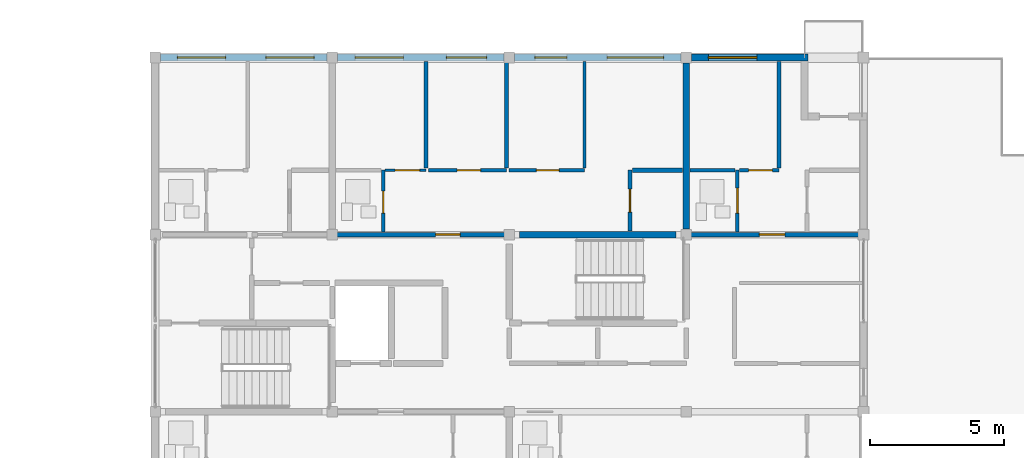
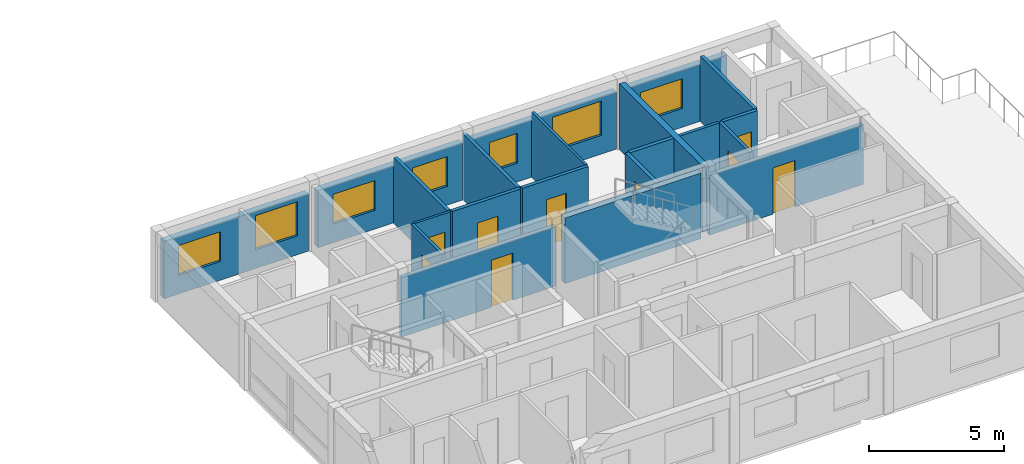
# One storey, part 14 of 22: 21 walls, 9 doors, 7 windows, 16 openings.
"""IFC4 building model written with IfcOpenShell, lengths in metres."""

from ifc_helpers import new_model, si_unit, direction, frame, frame_2d, origin, place, context, subcontext, project, spatial, rectangle, extrude, material, layer, layer_set, type_object, element, fill, save


model = new_model("IFC4")

# Units and contexts
model_context = context("Model", 3, precision=1e-05, world=origin(), true_north=direction((0.0, 1.0)))
body_context = subcontext(model_context, "Body", "Model", "MODEL_VIEW")
ifc_project = project(units=[si_unit("LENGTHUNIT", "METRE"), si_unit("AREAUNIT", "SQUARE_METRE"), si_unit("VOLUMEUNIT", "CUBIC_METRE"), si_unit("PLANEANGLEUNIT", "RADIAN"), si_unit("MASSUNIT", "GRAM", prefix="KILO")], contexts=[model_context])

# Site, building, storey
site_placement = place(None, origin())
site = spatial("IfcSite", under=ifc_project, at=site_placement, CompositionType="ELEMENT")
building_placement = place(site_placement, origin())
building = spatial("IfcBuilding", under=site, at=building_placement, Name="Kernevlak Ridge Housing Community", CompositionType="ELEMENT")
storey_placement = place(building_placement, frame((0.0, 0.0, 43.60009765625)))
storey = spatial("IfcBuildingStorey", under=building, at=storey_placement, Name="L13", CompositionType="ELEMENT", Elevation=43.60009765625)

# Wall, openings, windows
ifc_material_1 = material(Name="Concrete block masonry M10", Category="masonry")
ifc_layer_1 = layer(ifc_material_1, 0.260009765625, Name="Concrete block masonry M10")
ifc_layer_set_1 = layer_set([ifc_layer_1], Name="Concrete block masonry M10")
wall_type_1 = type_object("IfcWallType", Name="EW-05", PredefinedType="STANDARD", material=ifc_layer_set_1)
wall_1_placement = place(storey_placement, frame((119.60009765625, 102.39990234375, 0.0), z_axis=(0.0, 0.0, 1.0), x_axis=(1.0, 0.0, 0.0)))
wall_1 = element("IfcWall", 1, at=wall_1_placement, inside=storey, type_object=wall_type_1, Name="Exterior wall EW-05 L13 503", PredefinedType="STANDARD", context=body_context, shape_type="SweptSolid", body=[
    extrude(rectangle(XDim=6.199951171875, YDim=0.260009765625, at=frame_2d((3.10009765625, 0.0))), origin(), (0.0, 0.0, 1.0), 2.599853515625),
])
opening_1_placement = place(wall_1_placement, frame((0.625, 0.0, 0.85009765625)))
opening_1 = element("IfcOpeningElement", 2, at=opening_1_placement, cuts=wall_1, Name="Opening WT-03", PredefinedType="OPENING", context=body_context, shape_type="SweptSolid", body=[
    extrude(rectangle(XDim=1.800048828125, YDim=1.35009765625, at=frame_2d((0.89990234375, 0.675048828125))), frame((0.0, 0.139892578125, 0.0), z_axis=(0.0, -1.0, 0.0), x_axis=(1.0, 0.0, 0.0)), (0.0, 0.0, 1.0), 0.280029296875),
])
opening_2_placement = place(wall_1_placement, frame((3.925048828125, 0.0, 0.85009765625)))
opening_2 = element("IfcOpeningElement", 3, at=opening_2_placement, cuts=wall_1, Name="Opening WT-04", PredefinedType="OPENING", context=body_context, shape_type="SweptSolid", body=[
    extrude(rectangle(XDim=1.800048828125, YDim=1.550048828125, at=frame_2d((0.89990234375, 0.77490234375))), frame((0.0, 0.139892578125, 0.0), z_axis=(0.0, -1.0, 0.0), x_axis=(1.0, 0.0, 0.0)), (0.0, 0.0, 1.0), 0.280029296875),
])
ifc_material_2 = material(Name="Aluminium EN AW-6060 anodised and laminated glass", Category="aluminium")
window_type_1 = type_object("IfcWindowType", Name="WT-03", PartitioningType="SINGLE_PANEL", PredefinedType="WINDOW", material=ifc_material_2)
window_1_placement = place(opening_1_placement, origin())
window_1 = element("IfcWindow", 4, at=window_1_placement, inside=storey, type_object=window_type_1, Name="Window WT-03 L13 394", OverallHeight=1.35009765625, OverallWidth=1.800048828125, PartitioningType="SINGLE_PANEL", PredefinedType="WINDOW", context=body_context, shape_type="SweptSolid", body=[
    extrude(rectangle(XDim=1.800048828125, YDim=1.35009765625, at=frame_2d((0.89990234375, 0.675048828125))), frame((0.0, 0.030029296875, 0.0), z_axis=(0.0, -1.0, 0.0), x_axis=(1.0, 0.0, 0.0)), (0.0, 0.0, 1.0), 0.06005859375),
])
fill(opening_1, window_1)
window_type_2 = type_object("IfcWindowType", Name="WT-04", PartitioningType="SINGLE_PANEL", PredefinedType="WINDOW", material=ifc_material_2)
window_2_placement = place(opening_2_placement, origin())
window_2 = element("IfcWindow", 5, at=window_2_placement, inside=storey, type_object=window_type_2, Name="Window WT-04 L13 395", OverallHeight=1.550048828125, OverallWidth=1.800048828125, PartitioningType="SINGLE_PANEL", PredefinedType="WINDOW", context=body_context, shape_type="SweptSolid", body=[
    extrude(rectangle(XDim=1.800048828125, YDim=1.550048828125, at=frame_2d((0.89990234375, 0.77490234375))), frame((0.0, 0.030029296875, 0.0), z_axis=(0.0, -1.0, 0.0), x_axis=(1.0, 0.0, 0.0)), (0.0, 0.0, 1.0), 0.06005859375),
])
fill(opening_2, window_2)

wall_2_placement = place(storey_placement, frame((126.199951171875, 102.39990234375, 0.0), z_axis=(0.0, 0.0, 1.0), x_axis=(1.0, 0.0, 0.0)))
wall_2 = element("IfcWall", 6, at=wall_2_placement, inside=storey, type_object=wall_type_1, Name="Exterior wall EW-05 L13 504", PredefinedType="STANDARD", context=body_context, shape_type="SweptSolid", body=[
    extrude(rectangle(XDim=6.199951171875, YDim=0.260009765625, at=frame_2d((3.10009765625, 0.0))), origin(), (0.0, 0.0, 1.0), 2.599853515625),
])
opening_3_placement = place(wall_2_placement, frame((0.64990234375, 0.0, 0.85009765625)))
opening_3 = element("IfcOpeningElement", 7, at=opening_3_placement, cuts=wall_2, Name="Opening WT-03", PredefinedType="OPENING", context=body_context, shape_type="SweptSolid", body=[
    extrude(rectangle(XDim=1.800048828125, YDim=1.35009765625, at=frame_2d((0.89990234375, 0.675048828125))), frame((0.0, 0.139892578125, 0.0), z_axis=(0.0, -1.0, 0.0), x_axis=(1.0, 0.0, 0.0)), (0.0, 0.0, 1.0), 0.280029296875),
])
opening_4_placement = place(wall_2_placement, frame((4.050048828125, 0.0, 0.85009765625)))
opening_4 = element("IfcOpeningElement", 8, at=opening_4_placement, cuts=wall_2, Name="Opening WT-02", PredefinedType="OPENING", context=body_context, shape_type="SweptSolid", body=[
    extrude(rectangle(XDim=1.5, YDim=1.35009765625, at=frame_2d((0.75, 0.675048828125))), frame((0.0, 0.139892578125, 0.0), z_axis=(0.0, -1.0, 0.0), x_axis=(1.0, 0.0, 0.0)), (0.0, 0.0, 1.0), 0.280029296875),
])
window_type_3 = type_object("IfcWindowType", Name="WT-02", PartitioningType="SINGLE_PANEL", PredefinedType="WINDOW", material=ifc_material_2)
window_3_placement = place(opening_4_placement, origin())
window_3 = element("IfcWindow", 9, at=window_3_placement, inside=storey, type_object=window_type_3, Name="Window WT-02 L13 397", OverallHeight=1.35009765625, OverallWidth=1.5, PartitioningType="SINGLE_PANEL", PredefinedType="WINDOW", context=body_context, shape_type="SweptSolid", body=[
    extrude(rectangle(XDim=1.5, YDim=1.35009765625, at=frame_2d((0.75, 0.675048828125))), frame((0.0, 0.030029296875, 0.0), z_axis=(0.0, -1.0, 0.0), x_axis=(1.0, 0.0, 0.0)), (0.0, 0.0, 1.0), 0.06005859375),
])
fill(opening_4, window_3)
window_4_placement = place(opening_3_placement, origin())
window_4 = element("IfcWindow", 10, at=window_4_placement, inside=storey, type_object=window_type_1, Name="Window WT-03 L13 396", OverallHeight=1.35009765625, OverallWidth=1.800048828125, PartitioningType="SINGLE_PANEL", PredefinedType="WINDOW", context=body_context, shape_type="SweptSolid", body=[
    extrude(rectangle(XDim=1.800048828125, YDim=1.35009765625, at=frame_2d((0.89990234375, 0.675048828125))), frame((0.0, 0.030029296875, 0.0), z_axis=(0.0, -1.0, 0.0), x_axis=(1.0, 0.0, 0.0)), (0.0, 0.0, 1.0), 0.06005859375),
])
fill(opening_3, window_4)

wall_3_placement = place(storey_placement, frame((132.800048828125, 102.39990234375, 0.0), z_axis=(0.0, 0.0, 1.0), x_axis=(1.0, 0.0, 0.0)))
wall_3 = element("IfcWall", 11, at=wall_3_placement, inside=storey, type_object=wall_type_1, Name="Exterior wall EW-05 L13 505", PredefinedType="STANDARD", context=body_context, shape_type="SweptSolid", body=[
    extrude(rectangle(XDim=6.199951171875, YDim=0.260009765625, at=frame_2d((3.10009765625, 0.0))), origin(), (0.0, 0.0, 1.0), 2.599853515625),
])
opening_5_placement = place(wall_3_placement, frame((0.75, 0.0, 0.85009765625)))
opening_5 = element("IfcOpeningElement", 12, at=opening_5_placement, cuts=wall_3, Name="Opening WT-01", PredefinedType="OPENING", context=body_context, shape_type="SweptSolid", body=[
    extrude(rectangle(XDim=1.199951171875, YDim=1.35009765625, at=frame_2d((0.60009765625, 0.675048828125))), frame((0.0, 0.139892578125, 0.0), z_axis=(0.0, -1.0, 0.0), x_axis=(1.0, 0.0, 0.0)), (0.0, 0.0, 1.0), 0.280029296875),
])
opening_6_placement = place(wall_3_placement, frame((3.449951171875, 0.0, 0.85009765625)))
opening_6 = element("IfcOpeningElement", 13, at=opening_6_placement, cuts=wall_3, Name="Opening WT-05", PredefinedType="OPENING", context=body_context, shape_type="SweptSolid", body=[
    extrude(rectangle(XDim=2.10009765625, YDim=1.550048828125, at=frame_2d((1.050048828125, 0.77490234375))), frame((0.0, 0.139892578125, 0.0), z_axis=(0.0, -1.0, 0.0), x_axis=(1.0, 0.0, 0.0)), (0.0, 0.0, 1.0), 0.280029296875),
])
window_type_4 = type_object("IfcWindowType", Name="WT-01", PartitioningType="SINGLE_PANEL", PredefinedType="WINDOW", material=ifc_material_2)
window_5_placement = place(opening_5_placement, origin())
window_5 = element("IfcWindow", 14, at=window_5_placement, inside=storey, type_object=window_type_4, Name="Window WT-01 L13 398", OverallHeight=1.35009765625, OverallWidth=1.199951171875, PartitioningType="SINGLE_PANEL", PredefinedType="WINDOW", context=body_context, shape_type="SweptSolid", body=[
    extrude(rectangle(XDim=1.199951171875, YDim=1.35009765625, at=frame_2d((0.60009765625, 0.675048828125))), frame((0.0, 0.030029296875, 0.0), z_axis=(0.0, -1.0, 0.0), x_axis=(1.0, 0.0, 0.0)), (0.0, 0.0, 1.0), 0.06005859375),
])
fill(opening_5, window_5)
window_type_5 = type_object("IfcWindowType", Name="WT-05", PartitioningType="SINGLE_PANEL", PredefinedType="WINDOW", material=ifc_material_2)
window_6_placement = place(opening_6_placement, origin())
window_6 = element("IfcWindow", 15, at=window_6_placement, inside=storey, type_object=window_type_5, Name="Window WT-05 L13 399", OverallHeight=1.550048828125, OverallWidth=2.10009765625, PartitioningType="SINGLE_PANEL", PredefinedType="WINDOW", context=body_context, shape_type="SweptSolid", body=[
    extrude(rectangle(XDim=2.10009765625, YDim=1.550048828125, at=frame_2d((1.050048828125, 0.77490234375))), frame((0.0, 0.030029296875, 0.0), z_axis=(0.0, -1.0, 0.0), x_axis=(1.0, 0.0, 0.0)), (0.0, 0.0, 1.0), 0.06005859375),
])
fill(opening_6, window_6)

# Wall, opening, window
wall_4_placement = place(storey_placement, frame((139.39990234375, 102.39990234375, 0.0), z_axis=(0.0, 0.0, 1.0), x_axis=(1.0, 0.0, 0.0)))
wall_4 = element("IfcWall", 16, at=wall_4_placement, inside=storey, type_object=wall_type_1, Name="Exterior wall EW-05 L13 506", PredefinedType="STANDARD", context=body_context, shape_type="SweptSolid", body=[
    extrude(rectangle(XDim=4.330078125, YDim=0.260009765625, at=frame_2d((2.1650390625, 0.0))), origin(), (0.0, 0.0, 1.0), 2.599853515625),
])
opening_7_placement = place(wall_4_placement, frame((0.625, 0.0, 0.85009765625)))
opening_7 = element("IfcOpeningElement", 17, at=opening_7_placement, cuts=wall_4, Name="Opening WT-03", PredefinedType="OPENING", context=body_context, shape_type="SweptSolid", body=[
    extrude(rectangle(XDim=1.800048828125, YDim=1.35009765625, at=frame_2d((0.89990234375, 0.675048828125))), frame((0.0, 0.139892578125, 0.0), z_axis=(0.0, -1.0, 0.0), x_axis=(1.0, 0.0, 0.0)), (0.0, 0.0, 1.0), 0.280029296875),
])
window_7_placement = place(opening_7_placement, origin())
window_7 = element("IfcWindow", 18, at=window_7_placement, inside=storey, type_object=window_type_1, Name="Window WT-03 L13 400", OverallHeight=1.35009765625, OverallWidth=1.800048828125, PartitioningType="SINGLE_PANEL", PredefinedType="WINDOW", context=body_context, shape_type="SweptSolid", body=[
    extrude(rectangle(XDim=1.800048828125, YDim=1.35009765625, at=frame_2d((0.89990234375, 0.675048828125))), frame((0.0, 0.030029296875, 0.0), z_axis=(0.0, -1.0, 0.0), x_axis=(1.0, 0.0, 0.0)), (0.0, 0.0, 1.0), 0.06005859375),
])
fill(opening_7, window_7)

# Wall, opening, door
ifc_layer_2 = layer(ifc_material_1, 0.175048828125, Name="Concrete block masonry M10")
ifc_layer_set_2 = layer_set([ifc_layer_2], Name="Concrete block masonry M10")
wall_type_2 = type_object("IfcWallType", Name="PW-02", PredefinedType="PARTITIONING", material=ifc_layer_set_2)
wall_5_placement = place(storey_placement, frame((126.0, 95.800048828125, 0.0), z_axis=(0.0, 0.0, 1.0), x_axis=(1.0, 0.0, 0.0)))
wall_5 = element("IfcWall", 19, at=wall_5_placement, inside=storey, type_object=wall_type_2, Name="Interior wall PW-02 WAL-INT-L13-2001", PredefinedType="PARTITIONING", context=body_context, shape_type="SweptSolid", body=[
    extrude(rectangle(XDim=6.60009765625, YDim=0.175048828125, at=frame_2d((3.300048828125, 0.0))), origin(), (0.0, 0.0, 1.0), 2.699951171875),
])
opening_8_placement = place(wall_5_placement, frame((3.85009765625, 0.0, 0.0)))
opening_8 = element("IfcOpeningElement", 20, at=opening_8_placement, cuts=wall_5, Name="Opening E015", PredefinedType="OPENING", context=body_context, shape_type="SweptSolid", body=[
    extrude(rectangle(XDim=0.919921875, YDim=2.139892578125, at=frame_2d((0.4599609375, 1.06982421875))), frame((0.0, 0.097412109375, 0.0), z_axis=(0.0, -1.0, 0.0), x_axis=(1.0, 0.0, 0.0)), (0.0, 0.0, 1.0), 0.195068359375),
])
ifc_material_3 = material(Name="Hardwood timber solid-core fire leaf", Category="wood")
door_type_1 = type_object("IfcDoorType", Name="DT-20", OperationType="NOTDEFINED", PredefinedType="DOOR", material=ifc_material_3)
door_1_placement = place(opening_8_placement, origin())
door_1 = element("IfcDoor", 21, at=door_1_placement, inside=storey, type_object=door_type_1, Name="Flat B1322 entrance fire door E015", OperationType="SINGLE_SWING_RIGHT", OverallHeight=2.139892578125, OverallWidth=0.919921875, PredefinedType="DOOR", context=body_context, shape_type="SweptSolid", body=[
    extrude(rectangle(XDim=0.919921875, YDim=2.139892578125, at=frame_2d((0.4599609375, 1.06982421875))), frame((0.0, 0.02490234375, 0.0), z_axis=(0.0, -1.0, 0.0), x_axis=(1.0, 0.0, 0.0)), (0.0, 0.0, 1.0), 0.050048828125),
])
fill(opening_8, door_1)

wall_6_placement = place(storey_placement, frame((139.199951171875, 95.800048828125, 0.0), z_axis=(0.0, 0.0, 1.0), x_axis=(1.0, 0.0, 0.0)))
wall_6 = element("IfcWall", 22, at=wall_6_placement, inside=storey, type_object=wall_type_2, Name="Interior wall PW-02 WAL-INT-L13-2012", PredefinedType="PARTITIONING", context=body_context, shape_type="SweptSolid", body=[
    extrude(rectangle(XDim=6.60009765625, YDim=0.175048828125, at=frame_2d((3.300048828125, 0.0))), origin(), (0.0, 0.0, 1.0), 2.699951171875),
])
opening_9_placement = place(wall_6_placement, frame((2.72509765625, 0.0, 0.0)))
opening_9 = element("IfcOpeningElement", 23, at=opening_9_placement, cuts=wall_6, Name="Opening E021", PredefinedType="OPENING", context=body_context, shape_type="SweptSolid", body=[
    extrude(rectangle(XDim=0.949951171875, YDim=2.10009765625, at=frame_2d((0.47509765625, 1.050048828125))), frame((0.0, 0.097412109375, 0.0), z_axis=(0.0, -1.0, 0.0), x_axis=(1.0, 0.0, 0.0)), (0.0, 0.0, 1.0), 0.195068359375),
])
door_type_2 = type_object("IfcDoorType", Name="DT-01", OperationType="NOTDEFINED", PredefinedType="DOOR", material=ifc_material_3)
door_2_placement = place(opening_9_placement, origin())
door_2 = element("IfcDoor", 24, at=door_2_placement, inside=storey, type_object=door_type_2, Name="Flat B1323 entrance fire door E021", OperationType="SINGLE_SWING_RIGHT", OverallHeight=2.10009765625, OverallWidth=0.949951171875, PredefinedType="DOOR", context=body_context, shape_type="SweptSolid", body=[
    extrude(rectangle(XDim=0.949951171875, YDim=2.10009765625, at=frame_2d((0.47509765625, 1.050048828125))), frame((0.0, 0.02490234375, 0.0), z_axis=(0.0, -1.0, 0.0), x_axis=(1.0, 0.0, 0.0)), (0.0, 0.0, 1.0), 0.050048828125),
])
fill(opening_9, door_2)

# Wall
ifc_layer_3 = layer(ifc_material_1, 0.14501953125, Name="Concrete block masonry M10")
ifc_layer_set_3 = layer_set([ifc_layer_3], Name="Concrete block masonry M10")
wall_type_3 = type_object("IfcWallType", Name="PW-03", PredefinedType="PARTITIONING", material=ifc_layer_set_3)
wall_7_placement = place(storey_placement, frame((129.5, 98.280029296875, 0.0), z_axis=(0.0, 0.0, 1.0), x_axis=(0.0, 1.0, 0.0)))
element("IfcWall", 25, at=wall_7_placement, inside=storey, type_object=wall_type_3, Name="Interior wall PW-03 WAL-INT-L13-2007", PredefinedType="PARTITIONING", context=body_context, shape_type="SweptSolid", body=[
    extrude(rectangle(XDim=3.97998046875, YDim=0.14501953125, at=frame_2d((1.989990234375, 0.0))), origin(), (0.0, 0.0, 1.0), 2.97998046875),
])

# Wall, opening, door
wall_8_placement = place(storey_placement, frame((129.58251953125, 98.199951171875, 0.0), z_axis=(0.0, 0.0, 1.0), x_axis=(1.0, 0.0, 0.0)))
wall_8 = element("IfcWall", 26, at=wall_8_placement, inside=storey, type_object=wall_type_3, Name="Interior wall PW-03 WAL-INT-L13-2008", PredefinedType="PARTITIONING", context=body_context, shape_type="SweptSolid", body=[
    extrude(rectangle(XDim=2.91748046875, YDim=0.14501953125, at=frame_2d((1.458740234375, 0.0))), origin(), (0.0, 0.0, 1.0), 2.97998046875),
])
opening_10_placement = place(wall_8_placement, frame((1.074951171875, 0.0, 0.0)))
opening_10 = element("IfcOpeningElement", 27, at=opening_10_placement, cuts=wall_8, Name="Opening E019", PredefinedType="OPENING", context=body_context, shape_type="SweptSolid", body=[
    extrude(rectangle(XDim=0.8701171875, YDim=2.080078125, at=frame_2d((0.43505859375, 1.0400390625))), frame((0.0, 0.08251953125, 0.0), z_axis=(0.0, -1.0, 0.0), x_axis=(1.0, 0.0, 0.0)), (0.0, 0.0, 1.0), 0.1650390625),
])
ifc_material_4 = material(Name="Hardwood timber leaf", Category="wood")
door_type_3 = type_object("IfcDoorType", Name="DT-32", OperationType="NOTDEFINED", PredefinedType="DOOR", material=ifc_material_4)
door_3_placement = place(opening_10_placement, origin())
door_3 = element("IfcDoor", 28, at=door_3_placement, inside=storey, type_object=door_type_3, Name="Flat B1322 bedroom door E019", OperationType="SINGLE_SWING_RIGHT", OverallHeight=2.080078125, OverallWidth=0.8701171875, PredefinedType="DOOR", context=body_context, shape_type="SweptSolid", body=[
    extrude(rectangle(XDim=0.8701171875, YDim=2.080078125, at=frame_2d((0.43505859375, 1.0400390625))), frame((0.0, 0.02490234375, 0.0), z_axis=(0.0, -1.0, 0.0), x_axis=(1.0, 0.0, 0.0)), (0.0, 0.0, 1.0), 0.050048828125),
])
fill(opening_10, door_3)

# Wall
wall_9_placement = place(storey_placement, frame((132.5, 98.282470703125, 0.0), z_axis=(0.0, 0.0, 1.0), x_axis=(0.0, 1.0, 0.0)))
element("IfcWall", 29, at=wall_9_placement, inside=storey, type_object=wall_type_3, Name="Interior wall PW-03 WAL-INT-L13-2009", PredefinedType="PARTITIONING", context=body_context, shape_type="SweptSolid", body=[
    extrude(rectangle(XDim=4.03759765625, YDim=0.14501953125, at=frame_2d((2.018798828125, 0.0))), origin(), (0.0, 0.0, 1.0), 2.97998046875),
])

# Wall, opening, door
wall_10_placement = place(storey_placement, frame((132.58251953125, 98.199951171875, 0.0), z_axis=(0.0, 0.0, 1.0), x_axis=(1.0, 0.0, 0.0)))
wall_10 = element("IfcWall", 30, at=wall_10_placement, inside=storey, type_object=wall_type_3, Name="Interior wall PW-03 WAL-INT-L13-2010", PredefinedType="PARTITIONING", context=body_context, shape_type="SweptSolid", body=[
    extrude(rectangle(XDim=2.8173828125, YDim=0.14501953125, at=frame_2d((1.40869140625, 0.0))), origin(), (0.0, 0.0, 1.0), 2.97998046875),
])
opening_11_placement = place(wall_10_placement, frame((1.02490234375, 0.0, 0.0)))
opening_11 = element("IfcOpeningElement", 31, at=opening_11_placement, cuts=wall_10, Name="Opening E020", PredefinedType="OPENING", context=body_context, shape_type="SweptSolid", body=[
    extrude(rectangle(XDim=0.85009765625, YDim=2.10009765625, at=frame_2d((0.425048828125, 1.050048828125))), frame((0.0, 0.08251953125, 0.0), z_axis=(0.0, -1.0, 0.0), x_axis=(1.0, 0.0, 0.0)), (0.0, 0.0, 1.0), 0.1650390625),
])
door_type_4 = type_object("IfcDoorType", Name="DT-03", OperationType="NOTDEFINED", PredefinedType="DOOR", material=ifc_material_4)
door_4_placement = place(opening_11_placement, origin())
door_4 = element("IfcDoor", 32, at=door_4_placement, inside=storey, type_object=door_type_4, Name="Flat B1322 bedroom door E020", OperationType="SINGLE_SWING_LEFT", OverallHeight=2.10009765625, OverallWidth=0.85009765625, PredefinedType="DOOR", context=body_context, shape_type="SweptSolid", body=[
    extrude(rectangle(XDim=0.85009765625, YDim=2.10009765625, at=frame_2d((0.425048828125, 1.050048828125))), frame((0.0, 0.02490234375, 0.0), z_axis=(0.0, -1.0, 0.0), x_axis=(1.0, 0.0, 0.0)), (0.0, 0.0, 1.0), 0.050048828125),
])
fill(opening_11, door_4)

wall_11_placement = place(storey_placement, frame((141.172607421875, 98.199951171875, 0.0), z_axis=(0.0, 0.0, 1.0), x_axis=(1.0, 0.0, 0.0)))
wall_11 = element("IfcWall", 33, at=wall_11_placement, inside=storey, type_object=wall_type_3, Name="Interior wall PW-03 WAL-INT-L13-2017", PredefinedType="PARTITIONING", context=body_context, shape_type="SweptSolid", body=[
    extrude(rectangle(XDim=1.477294921875, YDim=0.14501953125, at=frame_2d((0.73876953125, 0.0))), origin(), (0.0, 0.0, 1.0), 2.97998046875),
])
opening_12_placement = place(wall_11_placement, frame((0.35009765625, 0.0, 0.0)))
opening_12 = element("IfcOpeningElement", 34, at=opening_12_placement, cuts=wall_11, Name="Opening E024", PredefinedType="OPENING", context=body_context, shape_type="SweptSolid", body=[
    extrude(rectangle(XDim=0.8798828125, YDim=2.10009765625, at=frame_2d((0.43994140625, 1.050048828125))), frame((0.0, 0.08251953125, 0.0), z_axis=(0.0, -1.0, 0.0), x_axis=(1.0, 0.0, 0.0)), (0.0, 0.0, 1.0), 0.1650390625),
])
door_type_5 = type_object("IfcDoorType", Name="DT-25", OperationType="NOTDEFINED", PredefinedType="DOOR", material=ifc_material_4)
door_5_placement = place(opening_12_placement, origin())
door_5 = element("IfcDoor", 35, at=door_5_placement, inside=storey, type_object=door_type_5, Name="Flat B1323 bedroom door E024", OperationType="SINGLE_SWING_LEFT", OverallHeight=2.10009765625, OverallWidth=0.8798828125, PredefinedType="DOOR", context=body_context, shape_type="SweptSolid", body=[
    extrude(rectangle(XDim=0.8798828125, YDim=2.10009765625, at=frame_2d((0.43994140625, 1.050048828125))), frame((0.0, 0.02490234375, 0.0), z_axis=(0.0, -1.0, 0.0), x_axis=(1.0, 0.0, 0.0)), (0.0, 0.0, 1.0), 0.050048828125),
])
fill(opening_12, door_5)

# Wall
wall_12_placement = place(storey_placement, frame((142.64990234375, 98.282470703125, 0.0), z_axis=(0.0, 0.0, 1.0), x_axis=(0.0, 1.0, 0.0)))
element("IfcWall", 36, at=wall_12_placement, inside=storey, type_object=wall_type_3, Name="Interior wall PW-03 WAL-INT-L13-2018", PredefinedType="PARTITIONING", context=body_context, shape_type="SweptSolid", body=[
    extrude(rectangle(XDim=3.9775390625, YDim=0.14501953125, at=frame_2d((1.98876953125, 0.0))), origin(), (0.0, 0.0, 1.0), 2.97998046875),
])

# Wall, opening, door
ifc_material_5 = material(Name="Gypsum plasterboard EN 520", Category="gypsum")
ifc_layer_4 = layer(ifc_material_5, 0.125, Name="Gypsum plasterboard EN 520")
ifc_layer_set_4 = layer_set([ifc_layer_4], Name="Gypsum plasterboard EN 520")
wall_type_4 = type_object("IfcWallType", Name="PW-04", PredefinedType="PARTITIONING", material=ifc_layer_set_4)
wall_13_placement = place(storey_placement, frame((127.89990234375, 95.8974609375, 0.0), z_axis=(0.0, 0.0, 1.0), x_axis=(0.0, 1.0, 0.0)))
wall_13 = element("IfcWall", 37, at=wall_13_placement, inside=storey, type_object=wall_type_4, Name="Interior wall PW-04 WAL-INT-L13-2002", PredefinedType="PARTITIONING", context=body_context, shape_type="SweptSolid", body=[
    extrude(rectangle(XDim=2.302490234375, YDim=0.125, at=frame_2d((1.1513671875, 0.0))), origin(), (0.0, 0.0, 1.0), 2.97998046875),
])
opening_13_placement = place(wall_13_placement, frame((0.699951171875, 0.0, 0.0)))
opening_13 = element("IfcOpeningElement", 38, at=opening_13_placement, cuts=wall_13, Name="Opening E016", PredefinedType="OPENING", context=body_context, shape_type="SweptSolid", body=[
    extrude(rectangle(XDim=0.820068359375, YDim=2.050048828125, at=frame_2d((0.41015625, 1.02490234375))), frame((0.0, 0.072509765625, 0.0), z_axis=(0.0, -1.0, 0.0), x_axis=(1.0, 0.0, 0.0)), (0.0, 0.0, 1.0), 0.14501953125),
])
ifc_material_6 = material(Name="Hardwood timber moisture-resistant leaf", Category="wood")
door_type_6 = type_object("IfcDoorType", Name="DT-30", OperationType="NOTDEFINED", PredefinedType="DOOR", material=ifc_material_6)
door_6_placement = place(opening_13_placement, origin())
door_6 = element("IfcDoor", 39, at=door_6_placement, inside=storey, type_object=door_type_6, Name="Flat B1322 bathroom door E016", OperationType="SINGLE_SWING_LEFT", OverallHeight=2.050048828125, OverallWidth=0.820068359375, PredefinedType="DOOR", context=body_context, shape_type="SweptSolid", body=[
    extrude(rectangle(XDim=0.820068359375, YDim=2.050048828125, at=frame_2d((0.41015625, 1.02490234375))), frame((0.0, 0.02490234375, 0.0), z_axis=(0.0, -1.0, 0.0), x_axis=(1.0, 0.0, 0.0)), (0.0, 0.0, 1.0), 0.050048828125),
])
fill(opening_13, door_6)

wall_14_placement = place(storey_placement, frame((141.10009765625, 95.8974609375, 0.0), z_axis=(0.0, 0.0, 1.0), x_axis=(0.0, 1.0, 0.0)))
wall_14 = element("IfcWall", 40, at=wall_14_placement, inside=storey, type_object=wall_type_4, Name="Interior wall PW-04 WAL-INT-L13-2013", PredefinedType="PARTITIONING", context=body_context, shape_type="SweptSolid", body=[
    extrude(rectangle(XDim=2.302490234375, YDim=0.125, at=frame_2d((1.1513671875, 0.0))), origin(), (0.0, 0.0, 1.0), 2.97998046875),
])
opening_14_placement = place(wall_14_placement, frame((0.699951171875, 0.0, 0.0)))
opening_14 = element("IfcOpeningElement", 41, at=opening_14_placement, cuts=wall_14, Name="Opening E022", PredefinedType="OPENING", context=body_context, shape_type="SweptSolid", body=[
    extrude(rectangle(XDim=0.93994140625, YDim=2.080078125, at=frame_2d((0.469970703125, 1.0400390625))), frame((0.0, 0.072509765625, 0.0), z_axis=(0.0, -1.0, 0.0), x_axis=(1.0, 0.0, 0.0)), (0.0, 0.0, 1.0), 0.14501953125),
])
door_type_7 = type_object("IfcDoorType", Name="DT-23", OperationType="NOTDEFINED", PredefinedType="DOOR", material=ifc_material_6)
door_7_placement = place(opening_14_placement, origin())
door_7 = element("IfcDoor", 42, at=door_7_placement, inside=storey, type_object=door_type_7, Name="Flat B1323 bathroom door E022", OperationType="SINGLE_SWING_LEFT", OverallHeight=2.080078125, OverallWidth=0.93994140625, PredefinedType="DOOR", context=body_context, shape_type="SweptSolid", body=[
    extrude(rectangle(XDim=0.93994140625, YDim=2.080078125, at=frame_2d((0.469970703125, 1.0400390625))), frame((0.0, 0.02490234375, 0.0), z_axis=(0.0, -1.0, 0.0), x_axis=(1.0, 0.0, 0.0)), (0.0, 0.0, 1.0), 0.050048828125),
])
fill(opening_14, door_7)

# Wall
wall_15_placement = place(storey_placement, frame((139.3349609375, 98.199951171875, 0.0), z_axis=(0.0, 0.0, 1.0), x_axis=(1.0, 0.0, 0.0)))
element("IfcWall", 43, at=wall_15_placement, inside=storey, type_object=wall_type_4, Name="Interior wall PW-04 WAL-INT-L13-2014", PredefinedType="PARTITIONING", context=body_context, shape_type="SweptSolid", body=[
    extrude(rectangle(XDim=1.68505859375, YDim=0.125, at=frame_2d((0.842529296875, 0.0))), origin(), (0.0, 0.0, 1.0), 2.97998046875),
])

# Wall, opening, door
ifc_layer_5 = layer(ifc_material_5, 0.155029296875, Name="Gypsum plasterboard EN 520")
ifc_layer_set_5 = layer_set([ifc_layer_5], Name="Gypsum plasterboard EN 520")
wall_type_5 = type_object("IfcWallType", Name="PW-05", PredefinedType="PARTITIONING", material=ifc_layer_set_5)
wall_16_placement = place(storey_placement, frame((137.10009765625, 95.93505859375, 0.0), z_axis=(0.0, 0.0, 1.0), x_axis=(0.0, 1.0, 0.0)))
wall_16 = element("IfcWall", 44, at=wall_16_placement, inside=storey, type_object=wall_type_5, Name="Interior wall PW-05 WAL-INT-L13-2004", PredefinedType="PARTITIONING", context=body_context, shape_type="SweptSolid", body=[
    extrude(rectangle(XDim=2.264892578125, YDim=0.155029296875, at=frame_2d((1.13232421875, 0.0))), origin(), (0.0, 0.0, 1.0), 2.97998046875),
])
opening_15_placement = place(wall_16_placement, frame((0.699951171875, 0.0, 0.0)))
opening_15 = element("IfcOpeningElement", 45, at=opening_15_placement, cuts=wall_16, Name="Opening E017", PredefinedType="OPENING", context=body_context, shape_type="SweptSolid", body=[
    extrude(rectangle(XDim=0.860107421875, YDim=2.1201171875, at=frame_2d((0.43017578125, 1.06005859375))), frame((0.0, 0.08740234375, 0.0), z_axis=(0.0, -1.0, 0.0), x_axis=(1.0, 0.0, 0.0)), (0.0, 0.0, 1.0), 0.175048828125),
])
door_type_8 = type_object("IfcDoorType", Name="DT-28", OperationType="NOTDEFINED", PredefinedType="DOOR", material=ifc_material_4)
door_8_placement = place(opening_15_placement, origin())
door_8 = element("IfcDoor", 46, at=door_8_placement, inside=storey, type_object=door_type_8, Name="Flat B1322 kitchen door E017", OperationType="SINGLE_SWING_RIGHT", OverallHeight=2.1201171875, OverallWidth=0.860107421875, PredefinedType="DOOR", context=body_context, shape_type="SweptSolid", body=[
    extrude(rectangle(XDim=0.860107421875, YDim=2.1201171875, at=frame_2d((0.43017578125, 1.06005859375))), frame((0.0, 0.02490234375, 0.0), z_axis=(0.0, -1.0, 0.0), x_axis=(1.0, 0.0, 0.0)), (0.0, 0.0, 1.0), 0.050048828125),
])
fill(opening_15, door_8)

# Wall
wall_17_placement = place(storey_placement, frame((137.1875, 98.199951171875, 0.0), z_axis=(0.0, 0.0, 1.0), x_axis=(1.0, 0.0, 0.0)))
element("IfcWall", 47, at=wall_17_placement, inside=storey, type_object=wall_type_5, Name="Interior wall PW-05 WAL-INT-L13-2005", PredefinedType="PARTITIONING", context=body_context, shape_type="SweptSolid", body=[
    extrude(rectangle(XDim=1.87744140625, YDim=0.155029296875, at=frame_2d((0.938720703125, 0.0))), origin(), (0.0, 0.0, 1.0), 2.97998046875),
])

# Wall, opening, door
ifc_layer_6 = layer(ifc_material_5, 0.10498046875, Name="Gypsum plasterboard EN 520")
ifc_layer_set_6 = layer_set([ifc_layer_6], Name="Gypsum plasterboard EN 520")
wall_type_6 = type_object("IfcWallType", Name="PW-06", PredefinedType="PARTITIONING", material=ifc_layer_set_6)
wall_18_placement = place(storey_placement, frame((127.972412109375, 98.199951171875, 0.0), z_axis=(0.0, 0.0, 1.0), x_axis=(1.0, 0.0, 0.0)))
wall_18 = element("IfcWall", 48, at=wall_18_placement, inside=storey, type_object=wall_type_6, Name="Interior wall PW-06 WAL-INT-L13-2006", PredefinedType="PARTITIONING", context=body_context, shape_type="SweptSolid", body=[
    extrude(rectangle(XDim=1.527587890625, YDim=0.10498046875, at=frame_2d((0.763671875, 0.0))), origin(), (0.0, 0.0, 1.0), 2.97998046875),
])
opening_16_placement = place(wall_18_placement, frame((0.375, 0.0, 0.0)))
opening_16 = element("IfcOpeningElement", 49, at=opening_16_placement, cuts=wall_18, Name="Opening E018", PredefinedType="OPENING", context=body_context, shape_type="SweptSolid", body=[
    extrude(rectangle(XDim=0.909912109375, YDim=2.139892578125, at=frame_2d((0.455078125, 1.06982421875))), frame((0.0, 0.0625, 0.0), z_axis=(0.0, -1.0, 0.0), x_axis=(1.0, 0.0, 0.0)), (0.0, 0.0, 1.0), 0.125),
])
door_type_9 = type_object("IfcDoorType", Name="DT-31", OperationType="NOTDEFINED", PredefinedType="DOOR", material=ifc_material_4)
door_9_placement = place(opening_16_placement, origin())
door_9 = element("IfcDoor", 50, at=door_9_placement, inside=storey, type_object=door_type_9, Name="Flat B1322 bedroom door E018", OperationType="SINGLE_SWING_LEFT", OverallHeight=2.139892578125, OverallWidth=0.909912109375, PredefinedType="DOOR", context=body_context, shape_type="SweptSolid", body=[
    extrude(rectangle(XDim=0.909912109375, YDim=2.139892578125, at=frame_2d((0.455078125, 1.06982421875))), frame((0.0, 0.02490234375, 0.0), z_axis=(0.0, -1.0, 0.0), x_axis=(1.0, 0.0, 0.0)), (0.0, 0.0, 1.0), 0.050048828125),
])
fill(opening_16, door_9)

# Walls
wall_19_placement = place(storey_placement, frame((135.39990234375, 98.282470703125, 0.0), z_axis=(0.0, 0.0, 1.0), x_axis=(0.0, 1.0, 0.0)))
element("IfcWall", 51, at=wall_19_placement, inside=storey, type_object=wall_type_6, Name="Interior wall PW-06 WAL-INT-L13-2011", PredefinedType="PARTITIONING", context=body_context, shape_type="SweptSolid", body=[
    extrude(rectangle(XDim=3.9775390625, YDim=0.10498046875, at=frame_2d((1.98876953125, 0.0))), origin(), (0.0, 0.0, 1.0), 2.97998046875),
])
ifc_material_7 = material(Name="Concrete C40/50", Category="concrete")
ifc_layer_7 = layer(ifc_material_7, 0.25, Name="Concrete C40/50")
ifc_layer_set_7 = layer_set([ifc_layer_7], Name="Concrete C40/50")
wall_type_7 = type_object("IfcWallType", Name="SW-03", PredefinedType="SHEAR", material=ifc_layer_set_7)
wall_20_placement = place(storey_placement, frame((132.97998046875, 95.800048828125, 0.0), z_axis=(0.0, 0.0, 1.0), x_axis=(1.0, 0.0, 0.0)))
element("IfcWall", 52, at=wall_20_placement, inside=storey, type_object=wall_type_7, Name="Shear wall SW-03 Block B L13 344", PredefinedType="SHEAR", context=body_context, shape_type="SweptSolid", body=[
    extrude(rectangle(XDim=5.840087890625, YDim=0.25, at=frame_2d((2.919921875, 0.0))), origin(), (0.0, 0.0, 1.0), 2.97998046875),
])
wall_21_placement = place(storey_placement, frame((139.199951171875, 96.0, 0.0), z_axis=(0.0, 0.0, 1.0), x_axis=(0.0, 1.0, 0.0)))
element("IfcWall", 53, at=wall_21_placement, inside=storey, type_object=wall_type_7, Name="Shear wall SW-03 Block B L13 350", PredefinedType="SHEAR", context=body_context, shape_type="SweptSolid", body=[
    extrude(rectangle(XDim=6.199951171875, YDim=0.25, at=frame_2d((3.10009765625, 0.0))), origin(), (0.0, 0.0, 1.0), 2.97998046875),
])

save(model, "model.ifc")
